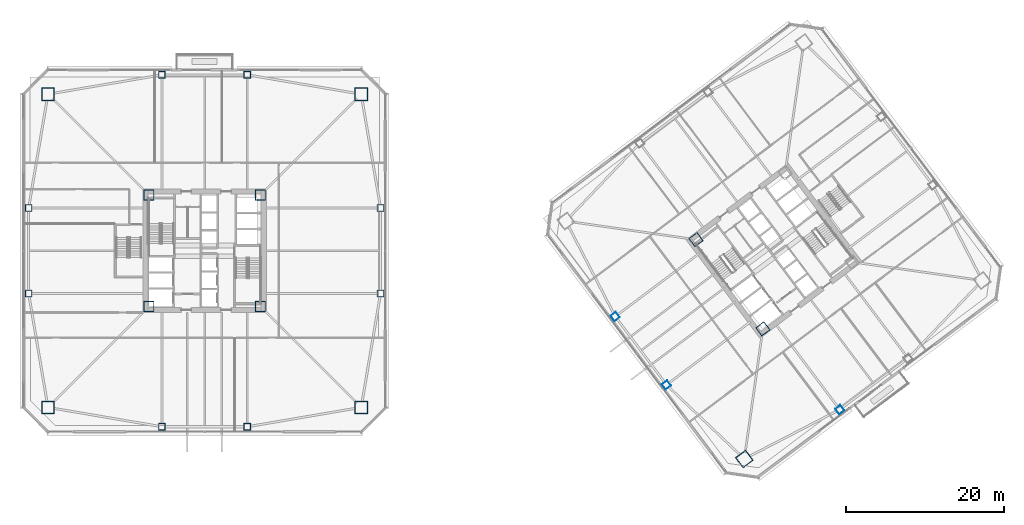
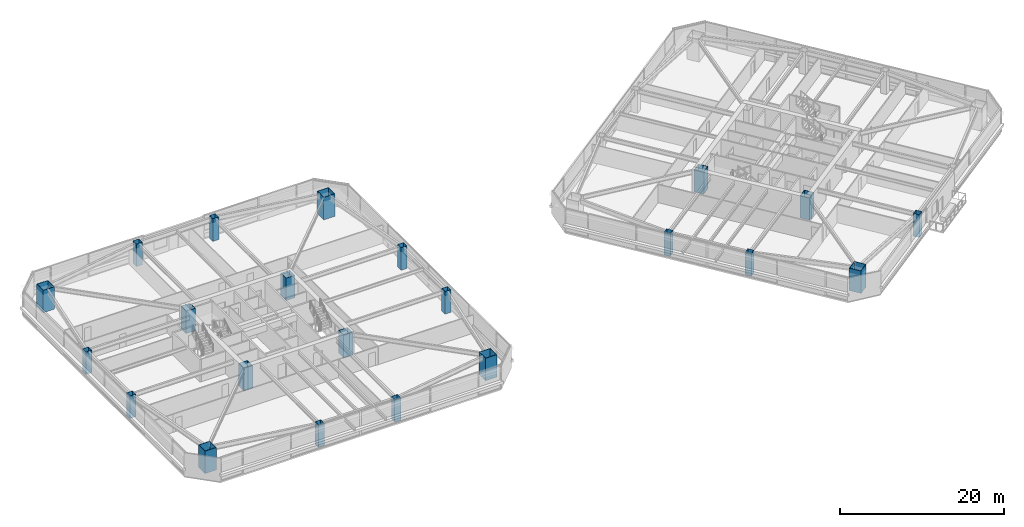
# One storey, part 1 of 48: 22 columns.
"""IFC4 building model written with IfcOpenShell, lengths in metres."""

from ifc_helpers import new_model, si_unit, direction, frame, origin, origin_2d, place, context, subcontext, project, spatial, hollow_rectangle, extrude, material, material_profile, profile_set, type_object, element, save


model = new_model("IFC4")

# Units and contexts
model_context = context("Model", 3, precision=1e-05, world=origin(), true_north=direction((0.0, 1.0)))
body_context = subcontext(model_context, "Body", "Model", "MODEL_VIEW")
ifc_project = project(units=[si_unit("LENGTHUNIT", "METRE"), si_unit("AREAUNIT", "SQUARE_METRE"), si_unit("VOLUMEUNIT", "CUBIC_METRE"), si_unit("PLANEANGLEUNIT", "RADIAN"), si_unit("MASSUNIT", "GRAM", prefix="KILO")], contexts=[model_context])

# Site, building, storey
site_placement = place(None, origin())
site = spatial("IfcSite", under=ifc_project, at=site_placement, CompositionType="ELEMENT")
building_placement = place(site_placement, origin())
building = spatial("IfcBuilding", under=site, at=building_placement, Name="Tashvorn Skyway Center", CompositionType="ELEMENT")
storey_placement = place(building_placement, frame((0.0, 0.0, 53.0)))
storey = spatial("IfcBuildingStorey", under=building, at=storey_placement, Name="L13", CompositionType="ELEMENT", Elevation=53.0)

# Columns
ifc_material = material(Name="Steel ASTM A572 Grade 50", Category="steel")
ifc_material_profile_1 = material_profile(ifc_material, hollow_rectangle(XDim=1.300048828125, YDim=1.300048828125, WallThickness=0.050048828125, at=origin_2d()), Name="BOX1300x1300x50")
ifc_profile_set_1 = profile_set([ifc_material_profile_1], Name="Steel ASTM A572 Grade 50")
column_type_1 = type_object("IfcColumnType", Name="COL-BOX1300x1300x50", PredefinedType="COLUMN", material=ifc_profile_set_1)
for number, where, z_axis, x_axis, name in (
    (1, (34.949951171875, 24.949951171875, 0.0), (0.0, 0.0, 1.0), (1.0, 0.0, 0.0), "Tower 1 L13 Core Corner Column CC-SW"),
    (2, (49.050048828125, 24.949951171875, 0.0), (0.0, 0.0, 1.0), (1.0, 0.0, 0.0), "Tower 1 L13 Core Corner Column CC-SE"),
    (3, (49.050048828125, 39.050048828125, 0.0), (0.0, 0.0, 1.0), (1.0, 0.0, 0.0), "Tower 1 L13 Core Corner Column CC-NE"),
    (4, (34.949951171875, 39.050048828125, 0.0), (0.0, 0.0, 1.0), (1.0, 0.0, 0.0), "Tower 1 L13 Core Corner Column CC-NW"),
    (5, (112.590087890625, 22.1298828125, 0.0), (0.0, 0.0, 1.0), (0.799999996291, 0.600000004945, 0.0), "Tower 2 L13 Core Corner Column CC-SW"),
    (6, (104.1298828125, 33.409912109375, 0.0), (0.0, 0.0, 1.0), (0.799999996291, 0.600000004945, 0.0), "Tower 2 L13 Core Corner Column CC-NW"),
):
    element("IfcColumn", number, at=place(storey_placement, frame(where, z_axis=z_axis, x_axis=x_axis)), inside=storey, type_object=column_type_1, Name=name, PredefinedType="COLUMN", context=body_context, shape_type="SweptSolid", body=[
        extrude(hollow_rectangle(XDim=1.300048828125, YDim=1.300048828125, WallThickness=0.050048828125, at=origin_2d()), origin(), (0.0, 0.0, 1.0), 3.35009765625),
    ])
ifc_material_profile_2 = material_profile(ifc_material, hollow_rectangle(XDim=1.60009765625, YDim=1.60009765625, WallThickness=0.06005859375, at=origin_2d()), Name="BOX1600x1600x60")
ifc_profile_set_2 = profile_set([ifc_material_profile_2], Name="Steel ASTM A572 Grade 50")
column_type_2 = type_object("IfcColumnType", Name="COL-BOX1600x1600x60", PredefinedType="COLUMN", material=ifc_profile_set_2)
for number, where, z_axis, x_axis, name in (
    (7, (22.199951171875, 12.199951171875, 0.0), (0.0, 0.0, 1.0), (1.0, 0.0, 0.0), "Tower 1 L13 Mega-Column MC-SW"),
    (8, (61.800048828125, 12.199951171875, 0.0), (0.0, 0.0, 1.0), (1.0, 0.0, 0.0), "Tower 1 L13 Mega-Column MC-SE"),
    (9, (61.800048828125, 51.800048828125, 0.0), (0.0, 0.0, 1.0), (1.0, 0.0, 0.0), "Tower 1 L13 Mega-Column MC-NE"),
    (10, (22.199951171875, 51.800048828125, 0.0), (0.0, 0.0, 1.0), (1.0, 0.0, 0.0), "Tower 1 L13 Mega-Column MC-NW"),
    (11, (110.239990234375, 5.679931640625, 0.0), (0.0, 0.0, 1.0), (0.799999996291, 0.600000004945, 0.0), "Tower 2 L13 Mega-Column MC-SW"),
):
    element("IfcColumn", number, at=place(storey_placement, frame(where, z_axis=z_axis, x_axis=x_axis)), inside=storey, type_object=column_type_2, Name=name, PredefinedType="COLUMN", context=body_context, shape_type="SweptSolid", body=[
        extrude(hollow_rectangle(XDim=1.60009765625, YDim=1.60009765625, WallThickness=0.06005859375, at=origin_2d()), origin(), (0.0, 0.0, 1.0), 3.35009765625),
    ])
ifc_material_profile_3 = material_profile(ifc_material, hollow_rectangle(XDim=0.85009765625, YDim=0.85009765625, WallThickness=0.034912109375, at=origin_2d()), Name="BOX850x850x35")
ifc_profile_set_3 = profile_set([ifc_material_profile_3], Name="Steel ASTM A572 Grade 50")
column_type_3 = type_object("IfcColumnType", Name="COL-BOX850x850x35", PredefinedType="COLUMN", material=ifc_profile_set_3)
for number, where, z_axis, x_axis, name in (
    (12, (36.60009765625, 9.75, 0.0), (0.0, 0.0, 1.0), (1.0, 0.0, 0.0), "Tower 1 L13 Perimeter Column FC-S1"),
    (13, (47.39990234375, 9.75, 0.0), (0.0, 0.0, 1.0), (1.0, 0.0, 0.0), "Tower 1 L13 Perimeter Column FC-S2"),
    (14, (64.25, 26.60009765625, 0.0), (0.0, 0.0, 1.0), (1.0, 0.0, 0.0), "Tower 1 L13 Perimeter Column FC-E1"),
    (15, (64.25, 37.39990234375, 0.0), (0.0, 0.0, 1.0), (1.0, 0.0, 0.0), "Tower 1 L13 Perimeter Column FC-E2"),
    (16, (47.39990234375, 54.25, 0.0), (0.0, 0.0, 1.0), (1.0, 0.0, 0.0), "Tower 1 L13 Perimeter Column FC-N1"),
    (17, (36.60009765625, 54.25, 0.0), (0.0, 0.0, 1.0), (1.0, 0.0, 0.0), "Tower 1 L13 Perimeter Column FC-N2"),
    (18, (19.75, 37.39990234375, 0.0), (0.0, 0.0, 1.0), (1.0, 0.0, 0.0), "Tower 1 L13 Perimeter Column FC-W1"),
    (19, (19.75, 26.60009765625, 0.0), (0.0, 0.0, 1.0), (1.0, 0.0, 0.0), "Tower 1 L13 Perimeter Column FC-W2"),
    (20, (122.31005859375, 11.919921875, 0.0), (0.0, 0.0, 1.0), (0.799999996291, 0.600000004945, 0.0), "Tower 2 L13 Perimeter Column FC-S1"),
    (21, (93.919921875, 23.68994140625, 0.0), (0.0, 0.0, 1.0), (0.799999996291, 0.600000004945, 0.0), "Tower 2 L13 Perimeter Column FC-W1"),
    (22, (100.39990234375, 15.050048828125, 0.0), (0.0, 0.0, 1.0), (0.799999996291, 0.600000004945, 0.0), "Tower 2 L13 Perimeter Column FC-W2"),
):
    element("IfcColumn", number, at=place(storey_placement, frame(where, z_axis=z_axis, x_axis=x_axis)), inside=storey, type_object=column_type_3, Name=name, PredefinedType="COLUMN", context=body_context, shape_type="SweptSolid", body=[
        extrude(hollow_rectangle(XDim=0.85009765625, YDim=0.85009765625, WallThickness=0.034912109375, at=origin_2d()), origin(), (0.0, 0.0, 1.0), 3.35009765625),
    ])

save(model, "model.ifc")
